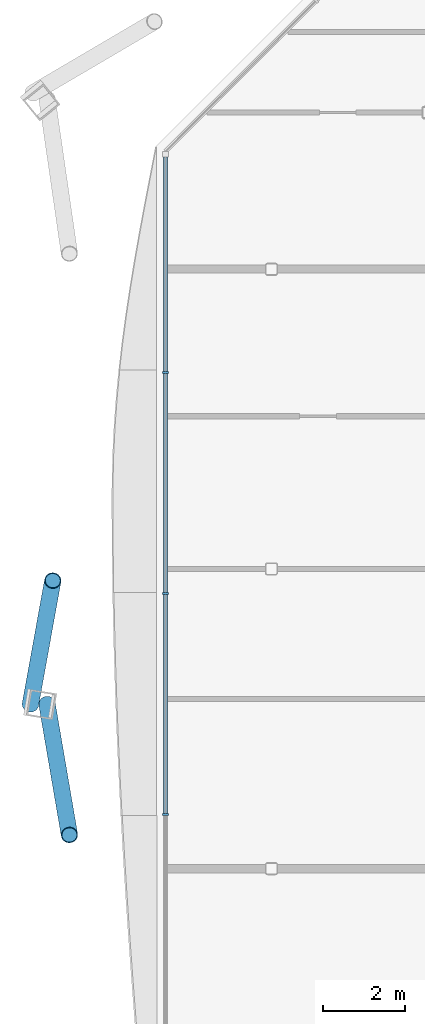
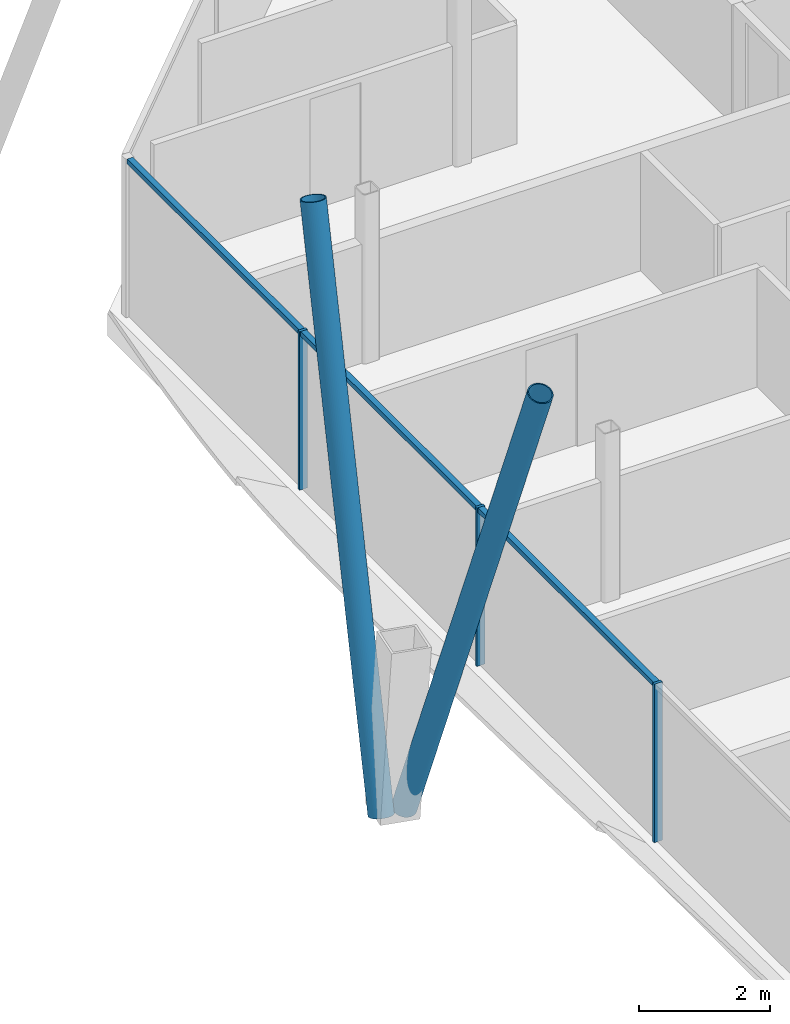
# One storey, part 6 of 18: 8 members, 1 element without a shape of its own.
"""IFC4 building model written with IfcOpenShell, lengths in metres."""

from ifc_helpers import new_model, si_unit, direction, frame, origin, origin_2d, place, context, subcontext, project, spatial, rectangle, hollow_circle, extrude, material, material_profile, profile_set, type_object, element, aggregate, save


model = new_model("IFC4")

# Units and contexts
model_context = context("Model", 3, precision=1e-05, world=origin(), true_north=direction((0.0, 1.0)))
body_context = subcontext(model_context, "Body", "Model", "MODEL_VIEW")
ifc_project = project(units=[si_unit("LENGTHUNIT", "METRE"), si_unit("AREAUNIT", "SQUARE_METRE"), si_unit("VOLUMEUNIT", "CUBIC_METRE"), si_unit("PLANEANGLEUNIT", "RADIAN"), si_unit("MASSUNIT", "GRAM", prefix="KILO")], contexts=[model_context])

# Site, building, storey
site_placement = place(None, origin())
site = spatial("IfcSite", under=ifc_project, at=site_placement, CompositionType="ELEMENT")
building_placement = place(site_placement, origin())
building = spatial("IfcBuilding", under=site, at=building_placement, Name="Tskaro Facet Tower", CompositionType="ELEMENT")
storey_placement = place(building_placement, frame((0.0, 0.0, 217.199951171875)))
storey = spatial("IfcBuildingStorey", under=building, at=storey_placement, Name="L55", CompositionType="ELEMENT", Elevation=217.199951171875)

# Members
ifc_material_1 = material(Name="Steel S355J2H", Category="steel")
ifc_material_profile_1 = material_profile(ifc_material_1, hollow_circle(Radius=0.203125, WallThickness=0.02001953125, at=origin_2d()), Name="CHS 406.4x20")
ifc_profile_set_1 = profile_set([ifc_material_profile_1], Name="Steel S355J2H")
member_type_1 = type_object("IfcMemberType", Name="CHS 406.4x20 brace", PredefinedType="BRACE", material=ifc_profile_set_1)
member_1_placement = place(storey_placement, frame((-25.2880859375, -1.9130859375, 0.0), z_axis=(0.055134851788, 0.304150771071, 0.951027053545), x_axis=(-0.983963886004, 0.178367797091, 0.0)))
element("IfcMember", 1, at=member_1_placement, inside=storey, type_object=member_type_1, Name="CHS 406.4x20 XB10B/5", PredefinedType="BRACE", context=body_context, shape_type="SweptSolid", body=[
    extrude(hollow_circle(Radius=0.203125, WallThickness=0.02001953125, at=origin_2d()), origin(), (0.0, 0.0, 1.0), 9.9365234375),
])
member_2_placement = place(storey_placement, frame((-24.8818359375, -1.9130859375, 0.0), z_axis=(0.054850435244, -0.320380292811, 0.945699686863), x_axis=(0.985659069558, 0.168748921769, 0.0)))
element("IfcMember", 2, at=member_2_placement, inside=storey, type_object=member_type_1, Name="CHS 406.4x20 XB11A/5", PredefinedType="BRACE", context=body_context, shape_type="SweptSolid", body=[
    extrude(hollow_circle(Radius=0.203125, WallThickness=0.02001953125, at=origin_2d()), origin(), (0.0, 0.0, 1.0), 9.992431640625),
])

# Curtain wall, members
ifc_material_2 = material(Name="Bronze anodised aluminium 6063-T6", Category="aluminium")
curtain_wall_type = type_object("IfcCurtainWallType", Name="Bronze residence curtain wall (FW3)", PredefinedType="NOTDEFINED", material=ifc_material_2)
curtain_wall_placement = place(storey_placement, origin())
curtain_wall = element("IfcCurtainWall", 3, at=curtain_wall_placement, inside=storey, type_object=curtain_wall_type, Name="FW3 west facet L55", PredefinedType="NOTDEFINED")
ifc_material_profile_2 = material_profile(ifc_material_2, rectangle(XDim=0.050048828125, YDim=0.139892578125, at=origin_2d()), Name="Mullion 50x140")
ifc_profile_set_2 = profile_set([ifc_material_profile_2], Name="Bronze anodised aluminium 6063-T6")
member_type_2 = type_object("IfcMemberType", Name="FW3 bronze mullion 50x140", PredefinedType="MULLION", material=ifc_profile_set_2)
member_3_placement = place(storey_placement, frame((-21.985107421875, 6.2001953125, 0.0), z_axis=(0.0, 0.0, 1.0), x_axis=(0.0, -1.0, 0.0)))
member_3 = element("IfcMember", 4, at=member_3_placement, type_object=member_type_2, Name="FW3 west mullion 1", PredefinedType="MULLION", context=body_context, shape_type="SweptSolid", body=[
    extrude(rectangle(XDim=0.050048828125, YDim=0.139892578125, at=origin_2d()), origin(), (0.0, 0.0, 1.0), 2.949951171875),
])
member_4_placement = place(storey_placement, frame((-21.985107421875, 0.79150390625, 0.0), z_axis=(0.0, 0.0, 1.0), x_axis=(0.0, -1.0, 0.0)))
member_4 = element("IfcMember", 5, at=member_4_placement, type_object=member_type_2, Name="FW3 west mullion 2", PredefinedType="MULLION", context=body_context, shape_type="SweptSolid", body=[
    extrude(rectangle(XDim=0.050048828125, YDim=0.139892578125, at=origin_2d()), origin(), (0.0, 0.0, 1.0), 2.949951171875),
])
member_5_placement = place(storey_placement, frame((-21.985107421875, -4.617431640625, 0.0), z_axis=(0.0, 0.0, 1.0), x_axis=(0.0, -1.0, 0.0)))
member_5 = element("IfcMember", 6, at=member_5_placement, type_object=member_type_2, Name="FW3 west mullion 3", PredefinedType="MULLION", context=body_context, shape_type="SweptSolid", body=[
    extrude(rectangle(XDim=0.050048828125, YDim=0.139892578125, at=origin_2d()), origin(), (0.0, 0.0, 1.0), 2.949951171875),
])
ifc_material_profile_3 = material_profile(ifc_material_2, rectangle(XDim=0.10009765625, YDim=0.090087890625, at=origin_2d()), Name="Transom 100x90")
ifc_profile_set_3 = profile_set([ifc_material_profile_3], Name="Bronze anodised aluminium 6063-T6")
member_type_3 = type_object("IfcMemberType", Name="FW3 bronze transom 100x90", PredefinedType="USERDEFINED", material=ifc_profile_set_3)
member_6_placement = place(storey_placement, frame((-21.985107421875, 11.468994140625, 2.905029296875), z_axis=(0.0, -1.0, 0.0), x_axis=(1.0, 0.0, 0.0)))
member_6 = element("IfcMember", 7, at=member_6_placement, type_object=member_type_3, Name="FW3 west transom 1.1", ObjectType="TRANSOM", PredefinedType="USERDEFINED", context=body_context, shape_type="SweptSolid", body=[
    extrude(rectangle(XDim=0.10009765625, YDim=0.090087890625, at=origin_2d()), origin(), (0.0, 0.0, 1.0), 5.243896484375),
])
member_7_placement = place(storey_placement, frame((-21.985107421875, 6.17529296875, 2.905029296875), z_axis=(0.0, -1.0, 0.0), x_axis=(1.0, 0.0, 0.0)))
member_7 = element("IfcMember", 8, at=member_7_placement, type_object=member_type_3, Name="FW3 west transom 2.1", ObjectType="TRANSOM", PredefinedType="USERDEFINED", context=body_context, shape_type="SweptSolid", body=[
    extrude(rectangle(XDim=0.10009765625, YDim=0.090087890625, at=origin_2d()), origin(), (0.0, 0.0, 1.0), 5.35888671875),
])
member_8_placement = place(storey_placement, frame((-21.985107421875, 0.766357421875, 2.905029296875), z_axis=(0.0, -1.0, 0.0), x_axis=(1.0, 0.0, 0.0)))
member_8 = element("IfcMember", 9, at=member_8_placement, type_object=member_type_3, Name="FW3 west transom 3.1", ObjectType="TRANSOM", PredefinedType="USERDEFINED", context=body_context, shape_type="SweptSolid", body=[
    extrude(rectangle(XDim=0.10009765625, YDim=0.090087890625, at=origin_2d()), origin(), (0.0, 0.0, 1.0), 5.358642578125),
])
aggregate(curtain_wall, [member_3, member_4, member_5, member_6, member_7, member_8])

save(model, "model.ifc")
